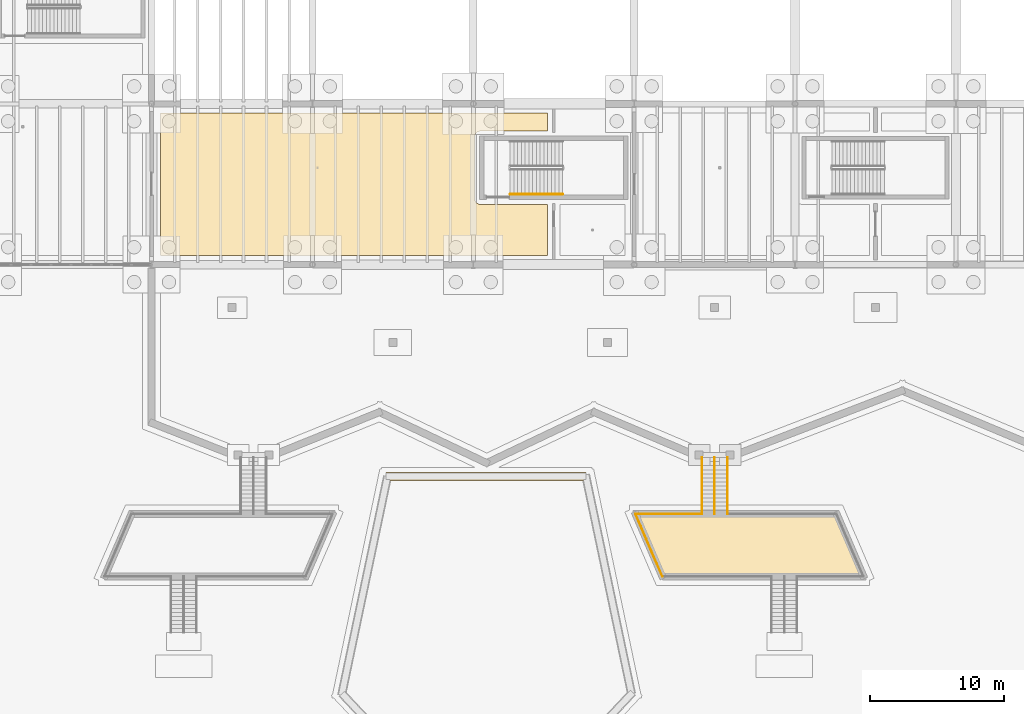
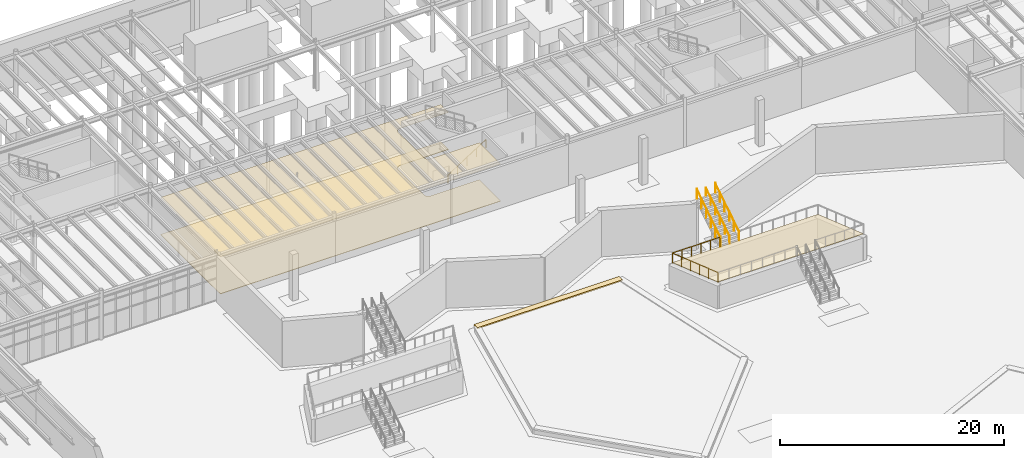
# One storey, part 57 of 67: 6 railings, 4 coverings.
"""IFC4 building model written with IfcOpenShell, lengths in metres."""

from ifc_helpers import new_model, si_unit, direction, frame, origin, origin_2d, place, context, subcontext, project, spatial, polyline, circle, outline, extrude, material, layer, layer_set, type_object, element, save


model = new_model("IFC4")

# Units and contexts
model_context = context("Model", 3, precision=1e-05, world=origin(), true_north=direction((0.0, 1.0)))
body_context = subcontext(model_context, "Body", "Model", "MODEL_VIEW")
ifc_project = project(units=[si_unit("LENGTHUNIT", "METRE"), si_unit("AREAUNIT", "SQUARE_METRE"), si_unit("VOLUMEUNIT", "CUBIC_METRE"), si_unit("PLANEANGLEUNIT", "RADIAN"), si_unit("MASSUNIT", "GRAM", prefix="KILO")], contexts=[model_context])

# Site, building, storey
site_placement = place(None, origin())
site = spatial("IfcSite", under=ifc_project, at=site_placement, CompositionType="ELEMENT")
building_placement = place(site_placement, origin())
building = spatial("IfcBuilding", under=site, at=building_placement, Name="Zlatogorsky Bluff Art Gallery", CompositionType="ELEMENT")
storey_placement = place(building_placement, frame((0.0, 0.0, -5.39990234375)))
storey = spatial("IfcBuildingStorey", under=building, at=storey_placement, Name="B1", CompositionType="ELEMENT", Elevation=-5.39990234375)

# Coverings
ifc_material_1 = material(Name="Perforated Gypsum Acoustic Board", Category="gypsum")
ifc_layer_1 = layer(ifc_material_1, 0.0400390625)
ifc_layer_set_1 = layer_set([ifc_layer_1], Name="Acoustic Gallery Ceiling CLG-01")
covering_type_1 = type_object("IfcCoveringType", Name="Acoustic Gallery Ceiling CLG-01", PredefinedType="CEILING", material=ifc_layer_set_1)
covering_1_placement = place(storey_placement, frame((0.0, 0.0, 4.0498046875)))
element("IfcCovering", 1, at=covering_1_placement, inside=storey, type_object=covering_type_1, Name="B1 Gallery Concourse Corridor acoustic ceiling", PredefinedType="CEILING", context=body_context, shape_type="SweptSolid", body=[
    extrude(outline(polyline([(77.550048828125, 93.9599609375), (72.549072265625, 93.9599609375), (72.504638671875, 93.957763671875), (72.460693359375, 93.951416015625), (72.459716796875, 93.951171875), (72.450439453125, 93.94921875), (72.449462890625, 93.948974609375), (72.40625, 93.93701171875), (72.3642578125, 93.9208984375), (72.36328125, 93.92041015625), (72.362548828125, 93.919921875), (72.326904296875, 93.902099609375), (72.325927734375, 93.901611328125), (72.293701171875, 93.882080078125), (72.26318359375, 93.859619140625), (72.26171875, 93.8583984375), (72.224609375, 93.8251953125), (72.19140625, 93.7880859375), (72.190185546875, 93.78662109375), (72.16796875, 93.75634765625), (72.148193359375, 93.72412109375), (72.147705078125, 93.72314453125), (72.1298828125, 93.6875), (72.129150390625, 93.685791015625), (72.113037109375, 93.643798828125), (72.10107421875, 93.6005859375), (72.100830078125, 93.599609375), (72.098876953125, 93.59033203125), (72.0986328125, 93.58935546875), (72.09228515625, 93.54541015625), (72.090087890625, 93.5009765625), (72.090087890625, 88.948974609375), (72.09228515625, 88.90478515625), (72.0986328125, 88.860595703125), (72.098876953125, 88.859619140625), (72.100830078125, 88.850341796875), (72.10107421875, 88.849609375), (72.113037109375, 88.80615234375), (72.129150390625, 88.764404296875), (72.1298828125, 88.762451171875), (72.147705078125, 88.726806640625), (72.148193359375, 88.725830078125), (72.16796875, 88.693603515625), (72.190185546875, 88.663330078125), (72.19140625, 88.661865234375), (72.224609375, 88.624755859375), (72.26171875, 88.591552734375), (72.26318359375, 88.59033203125), (72.293701171875, 88.568115234375), (72.325927734375, 88.54833984375), (72.326904296875, 88.5478515625), (72.362548828125, 88.530029296875), (72.3642578125, 88.529296875), (72.40625, 88.512939453125), (72.449462890625, 88.501220703125), (72.450439453125, 88.5009765625), (72.459716796875, 88.498779296875), (72.460693359375, 88.498779296875), (72.504638671875, 88.4921875), (72.549072265625, 88.489990234375), (77.550048828125, 88.489990234375), (77.550048828125, 84.669921875), (48.669921875, 84.669921875), (48.669921875, 95.330078125), (77.550048828125, 95.330078125), (77.550048828125, 93.9599609375)])), origin(), (0.0, 0.0, 1.0), 0.0400390625),
])
ifc_material_2 = material(Name="Honed Red Agra-Tone Quartzitic Sandstone", Category="masonry")
ifc_layer_2 = layer(ifc_material_2, 0.1201171875)
ifc_layer_set_2 = layer_set([ifc_layer_2], Name="Carved Sandstone Cladding CLD-02")
covering_type_2 = type_object("IfcCoveringType", Name="Carved Sandstone Cladding CLD-02", PredefinedType="CLADDING", material=ifc_layer_set_2)
covering_2_placement = place(storey_placement, frame((0.0, 0.0, 0.489990234375)))
element("IfcCovering", 2, at=covering_2_placement, inside=storey, type_object=covering_type_2, Name="Sandstone bluff wall coping PRW-05", PredefinedType="CLADDING", context=body_context, shape_type="SweptSolid", body=[
    extrude(outline(polyline([(80.39990234375, 68.49755859375), (65.47998046875, 68.49755859375), (65.47998046875, 67.90234375), (80.39990234375, 67.90234375), (80.39990234375, 68.49755859375)])), origin(), (0.0, 0.0, 1.0), 0.14990234375),
])

# Railings
ifc_material_3 = material(Name="Architectural Bronze and Laminated Glass", Category="glass")
railing_type_1 = type_object("IfcRailingType", Name="Gallery Guard Rail 1100mm", PredefinedType="GUARDRAIL", material=ifc_material_3)
for number, where, name in (
    (3, (89.050048828125, 65.39990234375, 2.699951171875), "ST-AMP-2 flight 2 W guard rail"),
    (4, (90.949951171875, 65.39990234375, 2.699951171875), "ST-AMP-2 flight 2 E guard rail"),
):
    element("IfcRailing", number, at=place(storey_placement, frame(where)), inside=storey, type_object=railing_type_1, Name=name, PredefinedType="GUARDRAIL", context=body_context, shape_type="SweptSolid", body=[
        extrude(circle(Radius=0.02392578125, at=origin_2d()), frame((0.0, 0.0, 1.076171875), z_axis=(0.0, 0.841194361566, 0.540732878665), x_axis=(-1.0, 0.0, 0.0)), (0.0, 0.0, 1.0), 4.9931640625),
        extrude(circle(Radius=0.02099609375, at=origin_2d()), origin(), (0.0, 0.0, 1.0), 1.052001953125),
        extrude(circle(Radius=0.02099609375, at=origin_2d()), frame((0.0, 0.840087890625, 0.5400390625)), (0.0, 0.0, 1.0), 1.052001953125),
        extrude(circle(Radius=0.02099609375, at=origin_2d()), frame((0.0, 1.68017578125, 1.080078125)), (0.0, 0.0, 1.0), 1.052001953125),
        extrude(circle(Radius=0.02099609375, at=origin_2d()), frame((0.0, 2.52001953125, 1.619873046875)), (0.0, 0.0, 1.0), 1.052001953125),
        extrude(circle(Radius=0.02099609375, at=origin_2d()), frame((0.0, 3.360107421875, 2.159912109375)), (0.0, 0.0, 1.0), 1.052001953125),
        extrude(circle(Radius=0.02099609375, at=origin_2d()), frame((0.0, 4.2001953125, 2.699951171875)), (0.0, 0.0, 1.0), 1.052001953125),
    ])
railing_1_placement = place(storey_placement, frame((89.0, 65.39990234375, 2.699951171875)))
element("IfcRailing", 5, at=railing_1_placement, inside=storey, type_object=railing_type_1, Name="ST-AMP-2 mid-terrace guardrail 5", PredefinedType="GUARDRAIL", context=body_context, shape_type="SweptSolid", body=[
    extrude(circle(Radius=0.02392578125, at=origin_2d()), frame((0.0, 0.0, 1.076171875), z_axis=(-1.0, 0.0, 0.0), x_axis=(0.0, -1.0, 0.0)), (0.0, 0.0, 1.0), 4.89990234375),
    extrude(circle(Radius=0.02099609375, at=origin_2d()), origin(), (0.0, 0.0, 1.0), 1.052001953125),
    extrude(circle(Radius=0.02099609375, at=origin_2d()), frame((-0.97998046875, 0.0, 0.0)), (0.0, 0.0, 1.0), 1.052001953125),
    extrude(circle(Radius=0.02099609375, at=origin_2d()), frame((-1.9599609375, 0.0, 0.0)), (0.0, 0.0, 1.0), 1.052001953125),
    extrude(circle(Radius=0.02099609375, at=origin_2d()), frame((-2.93994140625, 0.0, 0.0)), (0.0, 0.0, 1.0), 1.052001953125),
    extrude(circle(Radius=0.02099609375, at=origin_2d()), frame((-3.919921875, 0.0, 0.0)), (0.0, 0.0, 1.0), 1.052001953125),
    extrude(circle(Radius=0.02099609375, at=origin_2d()), frame((-4.89990234375, 0.0, 0.0)), (0.0, 0.0, 1.0), 1.052001953125),
])
railing_2_placement = place(storey_placement, frame((84.10009765625, 65.39990234375, 2.699951171875)))
element("IfcRailing", 6, at=railing_2_placement, inside=storey, type_object=railing_type_1, Name="ST-AMP-2 mid-terrace guardrail 6", PredefinedType="GUARDRAIL", context=body_context, shape_type="SweptSolid", body=[
    extrude(circle(Radius=0.02392578125, at=origin_2d()), frame((0.0, 0.0, 1.076171875), z_axis=(0.395118115417, -0.918630325468, 0.0), x_axis=(0.918630325468, 0.395118115417, 0.0)), (0.0, 0.0, 1.0), 5.061767578125),
    extrude(circle(Radius=0.02099609375, at=origin_2d()), origin(), (0.0, 0.0, 1.0), 1.052001953125),
    extrude(circle(Radius=0.02099609375, at=origin_2d()), frame((0.39990234375, -0.929931640625, 0.0)), (0.0, 0.0, 1.0), 1.052001953125),
    extrude(circle(Radius=0.02099609375, at=origin_2d()), frame((0.800048828125, -1.85986328125, 0.0)), (0.0, 0.0, 1.0), 1.052001953125),
    extrude(circle(Radius=0.02099609375, at=origin_2d()), frame((1.199951171875, -2.7900390625, 0.0)), (0.0, 0.0, 1.0), 1.052001953125),
    extrude(circle(Radius=0.02099609375, at=origin_2d()), frame((1.60009765625, -3.719970703125, 0.0)), (0.0, 0.0, 1.0), 1.052001953125),
    extrude(circle(Radius=0.02099609375, at=origin_2d()), frame((2.0, -4.64990234375, 0.0)), (0.0, 0.0, 1.0), 1.052001953125),
])

# Covering
ifc_material_4 = material(Name="Flamed Karelian Granite and Red Porphyry Charbagh Paving", Category="masonry")
ifc_layer_3 = layer(ifc_material_4, 0.06005859375)
ifc_layer_set_3 = layer_set([ifc_layer_3], Name="Granite Plaza Paving PAV-01")
covering_type_3 = type_object("IfcCoveringType", Name="Granite Plaza Paving PAV-01", PredefinedType="FLOORING", material=ifc_layer_set_3)
covering_3_placement = place(storey_placement, frame((0.0, 0.0, 2.699951171875)))
element("IfcCovering", 7, at=covering_3_placement, inside=storey, type_object=covering_type_3, Name="Stepped mid-terrace stone paving EMID (-2.70m)", PredefinedType="FLOORING", context=body_context, shape_type="SweptSolid", body=[
    extrude(outline(polyline([(86.10009765625, 60.75), (101.10009765625, 60.75), (99.10009765625, 65.39990234375), (84.10009765625, 65.39990234375), (86.10009765625, 60.75)])), origin(), (0.0, 0.0, 1.0), 0.050048828125),
])

# Railings
ifc_material_5 = material(Name="Brushed Stainless Steel", Category="steel")
railing_type_2 = type_object("IfcRailingType", Name="Stair Pitch Handrail 900mm", PredefinedType="HANDRAIL", material=ifc_material_5)
railing_3_placement = place(storey_placement, frame((74.75, 89.25, 0.179931640625)))
element("IfcRailing", 8, at=railing_3_placement, inside=storey, type_object=railing_type_2, Name="B1 ST-08 stair handrail 1", PredefinedType="HANDRAIL", context=body_context, shape_type="SweptSolid", body=[
    extrude(circle(Radius=0.02392578125, at=origin_2d()), frame((0.0, 0.0, 0.8759765625), z_axis=(0.841171666519, 0.0, 0.540768182723), x_axis=(0.0, 1.0, 0.0)), (0.0, 0.0, 1.0), 4.66015625),
    extrude(circle(Radius=0.02099609375, at=origin_2d()), origin(), (0.0, 0.0, 1.0), 0.851806640625),
    extrude(circle(Radius=0.02099609375, at=origin_2d()), frame((0.97998046875, 0.0, 0.6298828125)), (0.0, 0.0, 1.0), 0.851806640625),
    extrude(circle(Radius=0.02099609375, at=origin_2d()), frame((1.9599609375, 0.0, 1.260009765625)), (0.0, 0.0, 1.0), 0.851806640625),
    extrude(circle(Radius=0.02099609375, at=origin_2d()), frame((2.93994140625, 0.0, 1.89013671875)), (0.0, 0.0, 1.0), 0.851806640625),
    extrude(circle(Radius=0.02099609375, at=origin_2d()), frame((3.919921875, 0.0, 2.52001953125)), (0.0, 0.0, 1.0), 0.851806640625),
])
railing_4_placement = place(storey_placement, frame((90.0, 65.39990234375, 2.699951171875)))
element("IfcRailing", 9, at=railing_4_placement, inside=storey, type_object=railing_type_2, Name="ST-AMP-2 flight 2 central handrail", PredefinedType="HANDRAIL", context=body_context, shape_type="SweptSolid", body=[
    extrude(circle(Radius=0.02392578125, at=origin_2d()), frame((0.0, 0.0, 0.8759765625), z_axis=(0.0, 0.841194361566, 0.540732878665), x_axis=(-1.0, 0.0, 0.0)), (0.0, 0.0, 1.0), 4.9931640625),
    extrude(circle(Radius=0.02099609375, at=origin_2d()), origin(), (0.0, 0.0, 1.0), 0.851806640625),
    extrude(circle(Radius=0.02099609375, at=origin_2d()), frame((0.0, 0.840087890625, 0.5400390625)), (0.0, 0.0, 1.0), 0.851806640625),
    extrude(circle(Radius=0.02099609375, at=origin_2d()), frame((0.0, 1.68017578125, 1.080078125)), (0.0, 0.0, 1.0), 0.851806640625),
    extrude(circle(Radius=0.02099609375, at=origin_2d()), frame((0.0, 2.52001953125, 1.619873046875)), (0.0, 0.0, 1.0), 0.851806640625),
    extrude(circle(Radius=0.02099609375, at=origin_2d()), frame((0.0, 3.360107421875, 2.159912109375)), (0.0, 0.0, 1.0), 0.851806640625),
    extrude(circle(Radius=0.02099609375, at=origin_2d()), frame((0.0, 4.2001953125, 2.699951171875)), (0.0, 0.0, 1.0), 0.851806640625),
])

# Covering
ifc_material_6 = material(Name="Polished Ural Marble Terrazzo", Category="masonry")
ifc_layer_4 = layer(ifc_material_6, 0.050048828125)
ifc_layer_set_4 = layer_set([ifc_layer_4], Name="Terrazzo Gallery Flooring FLR-01")
covering_type_4 = type_object("IfcCoveringType", Name="Terrazzo Gallery Flooring FLR-01", PredefinedType="FLOORING", material=ifc_layer_set_4)
covering_4_placement = place(storey_placement, origin())
element("IfcCovering", 10, at=covering_4_placement, inside=storey, type_object=covering_type_4, Name="B1 Gallery Concourse Corridor terrazzo floor finish", PredefinedType="FLOORING", context=body_context, shape_type="SweptSolid", body=[
    extrude(outline(polyline([(77.550048828125, 93.9599609375), (72.549072265625, 93.9599609375), (72.504638671875, 93.957763671875), (72.460693359375, 93.951416015625), (72.459716796875, 93.951171875), (72.450439453125, 93.94921875), (72.449462890625, 93.948974609375), (72.40625, 93.93701171875), (72.3642578125, 93.9208984375), (72.36328125, 93.92041015625), (72.362548828125, 93.919921875), (72.326904296875, 93.902099609375), (72.325927734375, 93.901611328125), (72.293701171875, 93.882080078125), (72.26318359375, 93.859619140625), (72.26171875, 93.8583984375), (72.224609375, 93.8251953125), (72.19140625, 93.7880859375), (72.190185546875, 93.78662109375), (72.16796875, 93.75634765625), (72.148193359375, 93.72412109375), (72.147705078125, 93.72314453125), (72.1298828125, 93.6875), (72.129150390625, 93.685791015625), (72.113037109375, 93.643798828125), (72.10107421875, 93.6005859375), (72.100830078125, 93.599609375), (72.098876953125, 93.59033203125), (72.0986328125, 93.58935546875), (72.09228515625, 93.54541015625), (72.090087890625, 93.5009765625), (72.090087890625, 88.948974609375), (72.09228515625, 88.90478515625), (72.0986328125, 88.860595703125), (72.098876953125, 88.859619140625), (72.100830078125, 88.850341796875), (72.10107421875, 88.849609375), (72.113037109375, 88.80615234375), (72.129150390625, 88.764404296875), (72.1298828125, 88.762451171875), (72.147705078125, 88.726806640625), (72.148193359375, 88.725830078125), (72.16796875, 88.693603515625), (72.190185546875, 88.663330078125), (72.19140625, 88.661865234375), (72.224609375, 88.624755859375), (72.26171875, 88.591552734375), (72.26318359375, 88.59033203125), (72.293701171875, 88.568115234375), (72.325927734375, 88.54833984375), (72.326904296875, 88.5478515625), (72.362548828125, 88.530029296875), (72.3642578125, 88.529296875), (72.40625, 88.512939453125), (72.449462890625, 88.501220703125), (72.450439453125, 88.5009765625), (72.459716796875, 88.498779296875), (72.460693359375, 88.498779296875), (72.504638671875, 88.4921875), (72.549072265625, 88.489990234375), (77.550048828125, 88.489990234375), (77.550048828125, 84.669921875), (48.669921875, 84.669921875), (48.669921875, 95.330078125), (77.550048828125, 95.330078125), (77.550048828125, 93.9599609375)])), origin(), (0.0, 0.0, 1.0), 0.0498046875),
])

save(model, "model.ifc")
